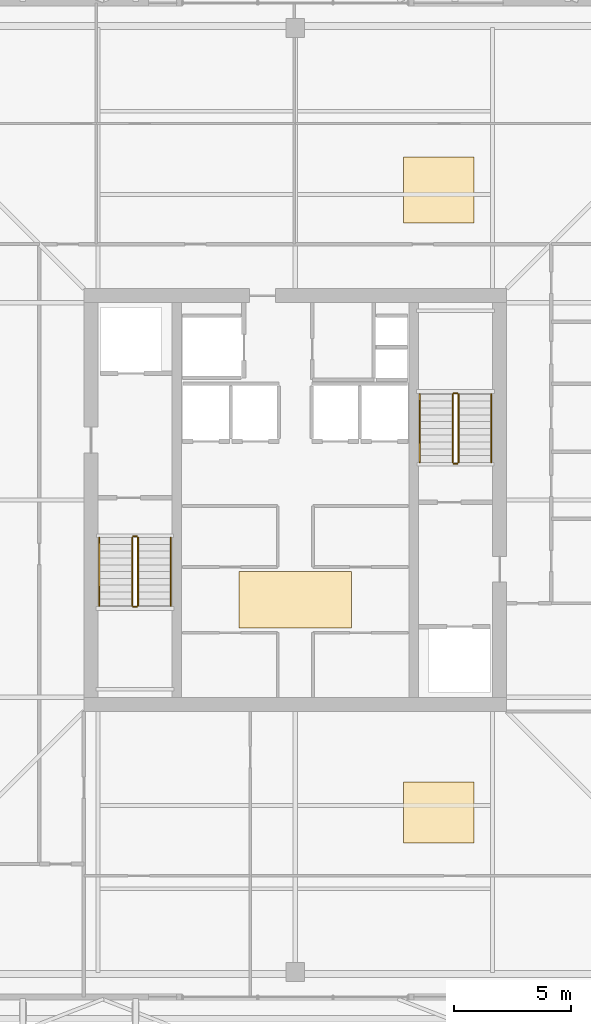
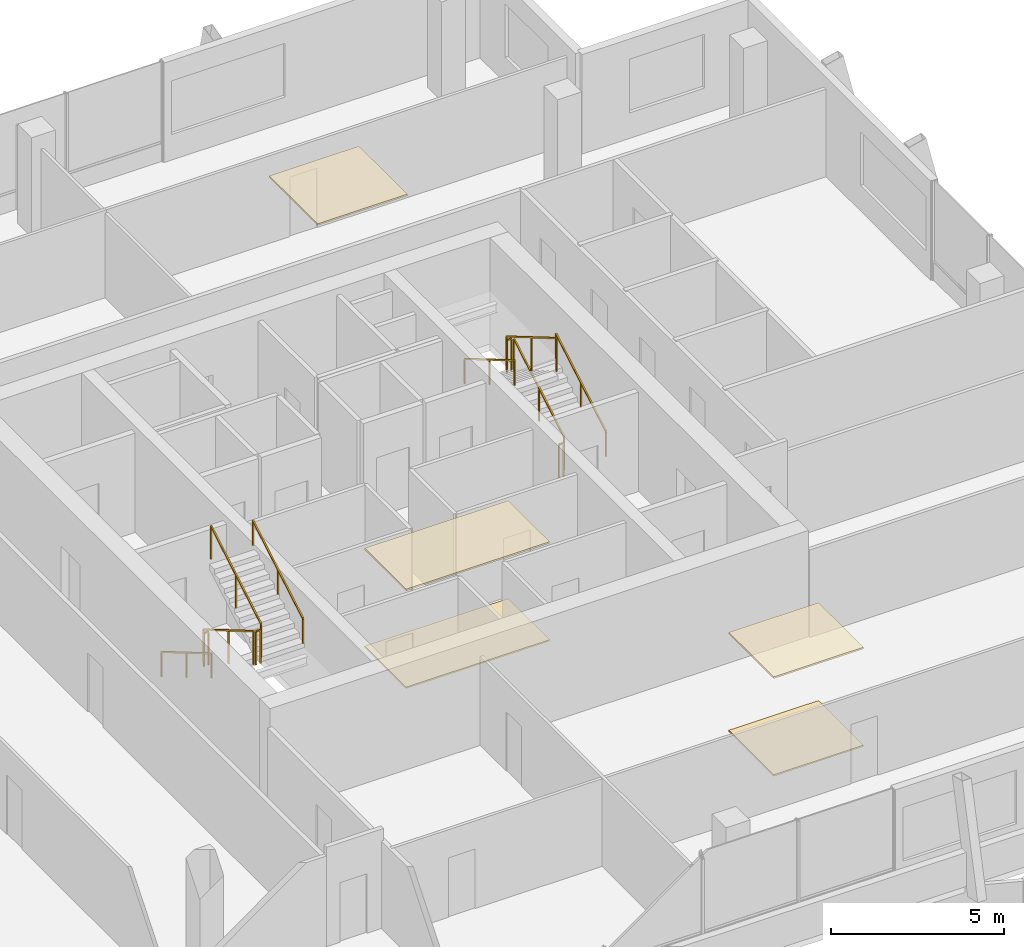
# One storey, part 18 of 18: 12 railings, 5 coverings.
"""IFC4 building model written with IfcOpenShell, lengths in metres."""

from ifc_helpers import new_model, si_unit, direction, frame, origin, origin_2d, place, context, subcontext, project, spatial, polyline, rectangle, outline, extrude, material, layer, layer_set, type_object, element, save


model = new_model("IFC4")

# Units and contexts
model_context = context("Model", 3, precision=1e-05, world=origin(), true_north=direction((0.0, 1.0)))
body_context = subcontext(model_context, "Body", "Model", "MODEL_VIEW")
ifc_project = project(units=[si_unit("LENGTHUNIT", "METRE"), si_unit("AREAUNIT", "SQUARE_METRE"), si_unit("VOLUMEUNIT", "CUBIC_METRE"), si_unit("PLANEANGLEUNIT", "RADIAN"), si_unit("MASSUNIT", "GRAM", prefix="KILO")], contexts=[model_context])

# Site, building, storey
site_placement = place(None, origin())
site = spatial("IfcSite", under=ifc_project, at=site_placement, CompositionType="ELEMENT")
building_placement = place(site_placement, origin())
building = spatial("IfcBuilding", under=site, at=building_placement, Name="Belovzor Exchange Tower", CompositionType="ELEMENT")
storey_placement = place(building_placement, frame((0.0, 0.0, 344.25)))
storey = spatial("IfcBuildingStorey", under=building, at=storey_placement, Name="L86", CompositionType="ELEMENT", Elevation=344.25)

# Railings
ifc_material_1 = material(Name="Stainless Steel Grade 304", Category="steel")
railing_type_1 = type_object("IfcRailingType", Name="Brushed Stainless Steel Stair Handrail 900", PredefinedType="HANDRAIL", material=ifc_material_1)
railing_1_placement = place(storey_placement, frame((20.449951171875, 27.199951171875, 0.17041015625)))
element("IfcRailing", 1, at=railing_1_placement, inside=storey, type_object=railing_type_1, Name="L86 ST-1 stair handrail 1", PredefinedType="HANDRAIL", context=body_context, shape_type="SweptSolid", body=[
    extrude(rectangle(XDim=0.048095703125, YDim=0.048095703125, at=origin_2d()), frame((0.0, 0.0, 0.8759765625), z_axis=(0.0, -0.86209462966, 0.506747323142), x_axis=(1.0, 0.0, 0.0)), (0.0, 0.0, 1.0), 3.36376953125),
    extrude(rectangle(XDim=0.0419921875, YDim=0.0419921875, at=origin_2d()), origin(), (0.0, 0.0, 1.0), 0.851806640625),
    extrude(rectangle(XDim=0.0419921875, YDim=0.0419921875, at=origin_2d()), frame((0.0, -1.449951171875, 0.852294921875)), (0.0, 0.0, 1.0), 0.851806640625),
    extrude(rectangle(XDim=0.0419921875, YDim=0.0419921875, at=origin_2d()), frame((0.0, -2.89990234375, 1.70458984375)), (0.0, 0.0, 1.0), 0.851806640625),
])
railing_2_placement = place(storey_placement, frame((23.5, 24.300048828125, 2.04541015625)))
element("IfcRailing", 2, at=railing_2_placement, inside=storey, type_object=railing_type_1, Name="L86 ST-1 stair handrail 2", PredefinedType="HANDRAIL", context=body_context, shape_type="SweptSolid", body=[
    extrude(rectangle(XDim=0.048095703125, YDim=0.048095703125, at=origin_2d()), frame((0.0, 0.0, 0.8759765625), z_axis=(0.0, 0.86209462966, 0.506747323142), x_axis=(-1.0, 0.0, 0.0)), (0.0, 0.0, 1.0), 3.36376953125),
    extrude(rectangle(XDim=0.0419921875, YDim=0.0419921875, at=origin_2d()), origin(), (0.0, 0.0, 1.0), 0.851806640625),
    extrude(rectangle(XDim=0.0419921875, YDim=0.0419921875, at=origin_2d()), frame((0.0, 1.449951171875, 0.852294921875)), (0.0, 0.0, 1.0), 0.851806640625),
    extrude(rectangle(XDim=0.0419921875, YDim=0.0419921875, at=origin_2d()), frame((0.0, 2.89990234375, 1.70458984375)), (0.0, 0.0, 1.0), 0.851806640625),
])
railing_3_placement = place(storey_placement, frame((37.14990234375, 30.39990234375, 0.17041015625)))
element("IfcRailing", 3, at=railing_3_placement, inside=storey, type_object=railing_type_1, Name="L86 ST-2 stair handrail 1", PredefinedType="HANDRAIL", context=body_context, shape_type="SweptSolid", body=[
    extrude(rectangle(XDim=0.048095703125, YDim=0.048095703125, at=origin_2d()), frame((0.0, 0.0, 0.8759765625), z_axis=(0.0, 0.862113265706, 0.506715617574), x_axis=(-1.0, 0.0, 0.0)), (0.0, 0.0, 1.0), 3.364013671875),
    extrude(rectangle(XDim=0.0419921875, YDim=0.0419921875, at=origin_2d()), origin(), (0.0, 0.0, 1.0), 0.851806640625),
    extrude(rectangle(XDim=0.0419921875, YDim=0.0419921875, at=origin_2d()), frame((0.0, 1.4501953125, 0.852294921875)), (0.0, 0.0, 1.0), 0.851806640625),
    extrude(rectangle(XDim=0.0419921875, YDim=0.0419921875, at=origin_2d()), frame((0.0, 2.900146484375, 1.70458984375)), (0.0, 0.0, 1.0), 0.851806640625),
])
railing_4_placement = place(storey_placement, frame((34.10009765625, 33.300048828125, 2.04541015625)))
element("IfcRailing", 4, at=railing_4_placement, inside=storey, type_object=railing_type_1, Name="L86 ST-2 stair handrail 2", PredefinedType="HANDRAIL", context=body_context, shape_type="SweptSolid", body=[
    extrude(rectangle(XDim=0.048095703125, YDim=0.048095703125, at=origin_2d()), frame((0.0, 0.0, 0.8759765625), z_axis=(0.0, -0.862113265706, 0.506715617574), x_axis=(1.0, 0.0, 0.0)), (0.0, 0.0, 1.0), 3.364013671875),
    extrude(rectangle(XDim=0.0419921875, YDim=0.0419921875, at=origin_2d()), origin(), (0.0, 0.0, 1.0), 0.851806640625),
    extrude(rectangle(XDim=0.0419921875, YDim=0.0419921875, at=origin_2d()), frame((0.0, -1.4501953125, 0.852294921875)), (0.0, 0.0, 1.0), 0.851806640625),
    extrude(rectangle(XDim=0.0419921875, YDim=0.0419921875, at=origin_2d()), frame((0.0, -2.900146484375, 1.70458984375)), (0.0, 0.0, 1.0), 0.851806640625),
])
ifc_material_2 = material(Name="Steel S355", Category="steel")
railing_type_2 = type_object("IfcRailingType", Name="Painted Steel Stairwell Guardrail 1200", PredefinedType="GUARDRAIL", material=ifc_material_2)
railing_5_placement = place(storey_placement, frame((21.85009765625, 27.199951171875, 0.17041015625)))
element("IfcRailing", 5, at=railing_5_placement, inside=storey, type_object=railing_type_2, Name="L86 ST-1 stair guard 1", PredefinedType="GUARDRAIL", context=body_context, shape_type="SweptSolid", body=[
    extrude(rectangle(XDim=0.048095703125, YDim=0.048095703125, at=origin_2d()), frame((0.0, 0.0, 1.17578125), z_axis=(0.0, -0.86209462966, 0.506747323142), x_axis=(1.0, 0.0, 0.0)), (0.0, 0.0, 1.0), 3.36376953125),
    extrude(rectangle(XDim=0.0419921875, YDim=0.0419921875, at=origin_2d()), origin(), (0.0, 0.0, 1.0), 1.15185546875),
    extrude(rectangle(XDim=0.0419921875, YDim=0.0419921875, at=origin_2d()), frame((0.0, -1.449951171875, 0.852294921875)), (0.0, 0.0, 1.0), 1.15185546875),
    extrude(rectangle(XDim=0.0419921875, YDim=0.0419921875, at=origin_2d()), frame((0.0, -2.89990234375, 1.70458984375)), (0.0, 0.0, 1.0), 1.15185546875),
])
railing_6_placement = place(storey_placement, frame((21.89990234375, 24.25, 1.875)))
element("IfcRailing", 6, at=railing_6_placement, inside=storey, type_object=railing_type_2, Name="L86 ST-1 stair guard 2", PredefinedType="GUARDRAIL", context=body_context, shape_type="SweptSolid", body=[
    extrude(rectangle(XDim=0.048095703125, YDim=0.048095703125, at=origin_2d()), frame((0.0, 0.0, 1.17578125), z_axis=(1.0, 0.0, 0.0), x_axis=(0.0, 1.0, 0.0)), (0.0, 0.0, 1.0), 0.150146484375),
    extrude(rectangle(XDim=0.0419921875, YDim=0.0419921875, at=origin_2d()), origin(), (0.0, 0.0, 1.0), 1.15185546875),
    extrude(rectangle(XDim=0.0419921875, YDim=0.0419921875, at=origin_2d()), frame((0.150146484375, 0.0, 0.0)), (0.0, 0.0, 1.0), 1.15185546875),
])
railing_7_placement = place(storey_placement, frame((22.10009765625, 24.300048828125, 2.04541015625)))
element("IfcRailing", 7, at=railing_7_placement, inside=storey, type_object=railing_type_2, Name="L86 ST-1 stair guard 3", PredefinedType="GUARDRAIL", context=body_context, shape_type="SweptSolid", body=[
    extrude(rectangle(XDim=0.048095703125, YDim=0.048095703125, at=origin_2d()), frame((0.0, 0.0, 1.17578125), z_axis=(0.0, 0.86209462966, 0.506747323142), x_axis=(-1.0, 0.0, 0.0)), (0.0, 0.0, 1.0), 3.36376953125),
    extrude(rectangle(XDim=0.0419921875, YDim=0.0419921875, at=origin_2d()), origin(), (0.0, 0.0, 1.0), 1.15185546875),
    extrude(rectangle(XDim=0.0419921875, YDim=0.0419921875, at=origin_2d()), frame((0.0, 1.449951171875, 0.852294921875)), (0.0, 0.0, 1.0), 1.15185546875),
    extrude(rectangle(XDim=0.0419921875, YDim=0.0419921875, at=origin_2d()), frame((0.0, 2.89990234375, 1.70458984375)), (0.0, 0.0, 1.0), 1.15185546875),
])
railing_8_placement = place(storey_placement, frame((21.89990234375, 27.25, 0.0)))
element("IfcRailing", 8, at=railing_8_placement, inside=storey, type_object=railing_type_2, Name="L86 ST-1 stair guard 4", PredefinedType="GUARDRAIL", context=body_context, shape_type="SweptSolid", body=[
    extrude(rectangle(XDim=0.048095703125, YDim=0.048095703125, at=origin_2d()), frame((0.0, 0.0, 1.17578125), z_axis=(1.0, 0.0, 0.0), x_axis=(0.0, 1.0, 0.0)), (0.0, 0.0, 1.0), 0.150146484375),
    extrude(rectangle(XDim=0.0419921875, YDim=0.0419921875, at=origin_2d()), origin(), (0.0, 0.0, 1.0), 1.15185546875),
    extrude(rectangle(XDim=0.0419921875, YDim=0.0419921875, at=origin_2d()), frame((0.150146484375, 0.0, 0.0)), (0.0, 0.0, 1.0), 1.15185546875),
])
railing_9_placement = place(storey_placement, frame((35.75, 30.39990234375, 0.17041015625)))
element("IfcRailing", 9, at=railing_9_placement, inside=storey, type_object=railing_type_2, Name="L86 ST-2 stair guard 1", PredefinedType="GUARDRAIL", context=body_context, shape_type="SweptSolid", body=[
    extrude(rectangle(XDim=0.048095703125, YDim=0.048095703125, at=origin_2d()), frame((0.0, 0.0, 1.17578125), z_axis=(0.0, 0.862113265706, 0.506715617574), x_axis=(-1.0, 0.0, 0.0)), (0.0, 0.0, 1.0), 3.364013671875),
    extrude(rectangle(XDim=0.0419921875, YDim=0.0419921875, at=origin_2d()), origin(), (0.0, 0.0, 1.0), 1.15185546875),
    extrude(rectangle(XDim=0.0419921875, YDim=0.0419921875, at=origin_2d()), frame((0.0, 1.4501953125, 0.852294921875)), (0.0, 0.0, 1.0), 1.15185546875),
    extrude(rectangle(XDim=0.0419921875, YDim=0.0419921875, at=origin_2d()), frame((0.0, 2.900146484375, 1.70458984375)), (0.0, 0.0, 1.0), 1.15185546875),
])
railing_10_placement = place(storey_placement, frame((35.699951171875, 33.35009765625, 1.875)))
element("IfcRailing", 10, at=railing_10_placement, inside=storey, type_object=railing_type_2, Name="L86 ST-2 stair guard 2", PredefinedType="GUARDRAIL", context=body_context, shape_type="SweptSolid", body=[
    extrude(rectangle(XDim=0.048095703125, YDim=0.048095703125, at=origin_2d()), frame((0.0, 0.0, 1.17578125), z_axis=(-1.0, 0.0, 0.0), x_axis=(0.0, -1.0, 0.0)), (0.0, 0.0, 1.0), 0.14990234375),
    extrude(rectangle(XDim=0.0419921875, YDim=0.0419921875, at=origin_2d()), origin(), (0.0, 0.0, 1.0), 1.15185546875),
    extrude(rectangle(XDim=0.0419921875, YDim=0.0419921875, at=origin_2d()), frame((-0.14990234375, 0.0, 0.0)), (0.0, 0.0, 1.0), 1.15185546875),
])
railing_11_placement = place(storey_placement, frame((35.5, 33.300048828125, 2.04541015625)))
element("IfcRailing", 11, at=railing_11_placement, inside=storey, type_object=railing_type_2, Name="L86 ST-2 stair guard 3", PredefinedType="GUARDRAIL", context=body_context, shape_type="SweptSolid", body=[
    extrude(rectangle(XDim=0.048095703125, YDim=0.048095703125, at=origin_2d()), frame((0.0, 0.0, 1.17578125), z_axis=(0.0, -0.862113265706, 0.506715617574), x_axis=(1.0, 0.0, 0.0)), (0.0, 0.0, 1.0), 3.364013671875),
    extrude(rectangle(XDim=0.0419921875, YDim=0.0419921875, at=origin_2d()), origin(), (0.0, 0.0, 1.0), 1.15185546875),
    extrude(rectangle(XDim=0.0419921875, YDim=0.0419921875, at=origin_2d()), frame((0.0, -1.4501953125, 0.852294921875)), (0.0, 0.0, 1.0), 1.15185546875),
    extrude(rectangle(XDim=0.0419921875, YDim=0.0419921875, at=origin_2d()), frame((0.0, -2.900146484375, 1.70458984375)), (0.0, 0.0, 1.0), 1.15185546875),
])
railing_12_placement = place(storey_placement, frame((35.699951171875, 30.35009765625, 0.0)))
element("IfcRailing", 12, at=railing_12_placement, inside=storey, type_object=railing_type_2, Name="L86 ST-2 stair guard 4", PredefinedType="GUARDRAIL", context=body_context, shape_type="SweptSolid", body=[
    extrude(rectangle(XDim=0.048095703125, YDim=0.048095703125, at=origin_2d()), frame((0.0, 0.0, 1.17578125), z_axis=(-1.0, 0.0, 0.0), x_axis=(0.0, -1.0, 0.0)), (0.0, 0.0, 1.0), 0.14990234375),
    extrude(rectangle(XDim=0.0419921875, YDim=0.0419921875, at=origin_2d()), origin(), (0.0, 0.0, 1.0), 1.15185546875),
    extrude(rectangle(XDim=0.0419921875, YDim=0.0419921875, at=origin_2d()), frame((-0.14990234375, 0.0, 0.0)), (0.0, 0.0, 1.0), 1.15185546875),
])

# Coverings
ifc_material_3 = material(Name="Perforated Powder-Coated Aluminium", Category="aluminium")
ifc_layer_1 = layer(ifc_material_3, 0.06005859375)
ifc_layer_set_1 = layer_set([ifc_layer_1], Name="Perforated Powder-Coated Aluminium")
covering_type_1 = type_object("IfcCoveringType", Name="Perforated Acoustic Metal Tile Suspended Ceiling 60", PredefinedType="CEILING", material=ifc_layer_set_1)
covering_1_placement = place(storey_placement, frame((0.0, 0.0, 3.449951171875)))
element("IfcCovering", 13, at=covering_1_placement, inside=storey, type_object=covering_type_1, Name="CLG-AC60 Suspended Ceiling CLG-L86-LOB", PredefinedType="CEILING", context=body_context, shape_type="SweptSolid", body=[
    extrude(outline(polyline([(26.39990234375, 23.35009765625), (31.199951171875, 23.35009765625), (31.199951171875, 25.75), (26.39990234375, 25.75), (26.39990234375, 23.35009765625)])), origin(), (0.0, 0.0, 1.0), 0.06005859375),
])
covering_2_placement = place(storey_placement, frame((0.0, 0.0, 3.449951171875)))
element("IfcCovering", 14, at=covering_2_placement, inside=storey, type_object=covering_type_1, Name="CLG-AC60 Suspended Ceiling CLG-L86-Z1", PredefinedType="CEILING", context=body_context, shape_type="SweptSolid", body=[
    extrude(outline(polyline([(33.39990234375, 14.199951171875), (36.39990234375, 14.199951171875), (36.39990234375, 16.800048828125), (33.39990234375, 16.800048828125), (33.39990234375, 14.199951171875)])), origin(), (0.0, 0.0, 1.0), 0.06005859375),
])
covering_3_placement = place(storey_placement, frame((0.0, 0.0, 3.449951171875)))
element("IfcCovering", 15, at=covering_3_placement, inside=storey, type_object=covering_type_1, Name="CLG-AC60 Suspended Ceiling CLG-L86-Z2", PredefinedType="CEILING", context=body_context, shape_type="SweptSolid", body=[
    extrude(outline(polyline([(33.39990234375, 40.60009765625), (36.39990234375, 40.60009765625), (36.39990234375, 43.39990234375), (33.39990234375, 43.39990234375), (33.39990234375, 40.60009765625)])), origin(), (0.0, 0.0, 1.0), 0.06005859375),
])
ifc_material_4 = material(Name="Polished Natural Granite Tile", Category="masonry")
ifc_layer_2 = layer(ifc_material_4, 0.050048828125)
ifc_layer_set_2 = layer_set([ifc_layer_2], Name="Polished Natural Granite Tile")
covering_type_2 = type_object("IfcCoveringType", Name="Polished Karelian Granite & Raised Access Floor Finish 50", PredefinedType="FLOORING", material=ifc_layer_set_2)
covering_4_placement = place(storey_placement, origin())
element("IfcCovering", 16, at=covering_4_placement, inside=storey, type_object=covering_type_2, Name="FLR-GR50 Floor Finish FLR-L86-LOB", PredefinedType="FLOORING", context=body_context, shape_type="SweptSolid", body=[
    extrude(outline(polyline([(26.39990234375, 23.35009765625), (31.199951171875, 23.35009765625), (31.199951171875, 25.75), (26.39990234375, 25.75), (26.39990234375, 23.35009765625)])), origin(), (0.0, 0.0, 1.0), 0.050048828125),
])
covering_5_placement = place(storey_placement, origin())
element("IfcCovering", 17, at=covering_5_placement, inside=storey, type_object=covering_type_2, Name="FLR-GR50 Floor Finish FLR-L86-Z1", PredefinedType="FLOORING", context=body_context, shape_type="SweptSolid", body=[
    extrude(outline(polyline([(33.39990234375, 14.199951171875), (36.39990234375, 14.199951171875), (36.39990234375, 16.800048828125), (33.39990234375, 16.800048828125), (33.39990234375, 14.199951171875)])), origin(), (0.0, 0.0, 1.0), 0.050048828125),
])

save(model, "model.ifc")
